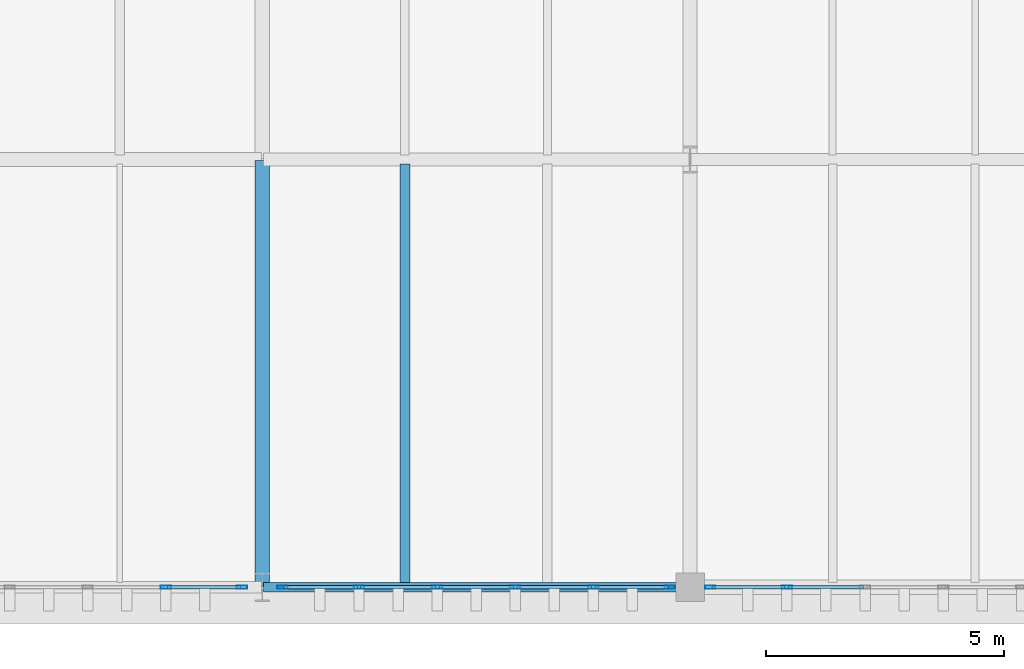
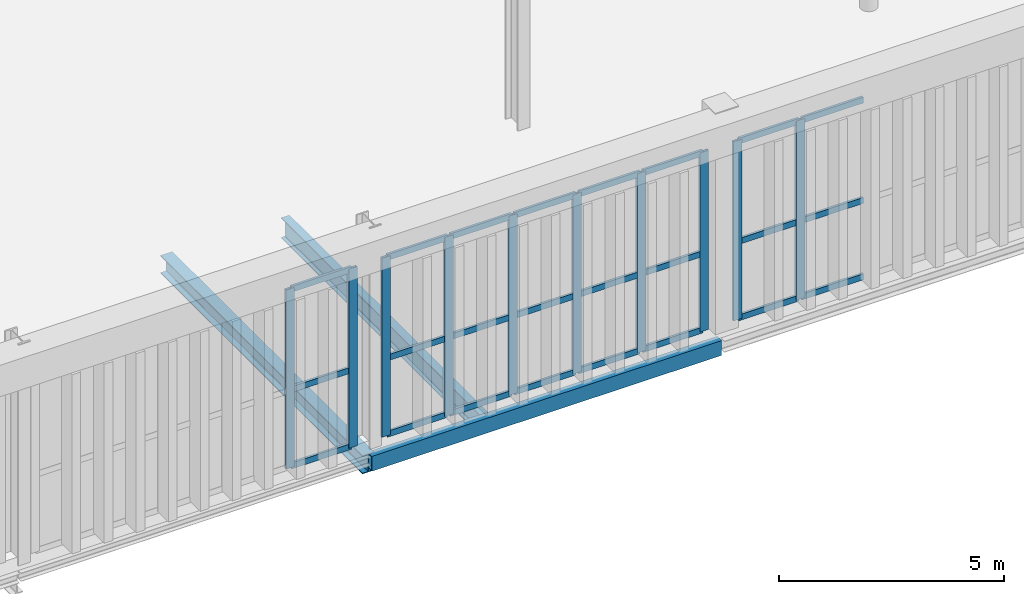
# One storey, part 116 of 237: 34 members, 3 beams, 3 elements without a shape of their own.
"""IFC4 building model written with IfcOpenShell, lengths in metres."""

from ifc_helpers import new_model, si_unit, direction, frame, origin, origin_2d, place, context, subcontext, project, spatial, hollow_rectangle, i_section, extrude, material, layer, layer_set, material_profile, profile_set, type_object, element, aggregate, save


model = new_model("IFC4")

# Units and contexts
model_context = context("Model", 3, precision=1e-05, world=origin(), true_north=direction((0.0, 1.0)))
body_context = subcontext(model_context, "Body", "Model", "MODEL_VIEW")
ifc_project = project(units=[si_unit("LENGTHUNIT", "METRE"), si_unit("AREAUNIT", "SQUARE_METRE"), si_unit("VOLUMEUNIT", "CUBIC_METRE"), si_unit("PLANEANGLEUNIT", "RADIAN"), si_unit("MASSUNIT", "GRAM", prefix="KILO")], contexts=[model_context])

# Site, building, storey
site_placement = place(None, origin())
site = spatial("IfcSite", under=ifc_project, at=site_placement, CompositionType="ELEMENT")
building_placement = place(site_placement, origin())
building = spatial("IfcBuilding", under=site, at=building_placement, Name="Barlavento Convention Centre", CompositionType="ELEMENT")
storey_placement = place(building_placement, frame((0.0, 0.0, 12.0)))
storey = spatial("IfcBuildingStorey", under=building, at=storey_placement, Name="L02", CompositionType="ELEMENT", Elevation=12.0)

# Curtain wall, members
ifc_material_1 = material(Name="Powder-coated aluminium and Low-E glass", Category="aluminium")
ifc_layer = layer(ifc_material_1, 0.195068359375)
ifc_layer_set = layer_set([ifc_layer], Name="ARC-CW-BALL-L02")
curtain_wall_type = type_object("IfcCurtainWallType", Name="ARC-CW-BALL-L02", PredefinedType="NOTDEFINED", material=ifc_layer_set)
curtain_wall_1_placement = place(storey_placement, origin())
curtain_wall_1 = element("IfcCurtainWall", 1, at=curtain_wall_1_placement, inside=storey, type_object=curtain_wall_type, Name="L02 unitised curtain wall CW07", PredefinedType="NOTDEFINED")
ifc_material_2 = material(Name="Powder-coated aluminium", Category="aluminium")
ifc_material_profile_1 = material_profile(ifc_material_2, hollow_rectangle(XDim=0.070068359375, YDim=0.219970703125, WallThickness=0.006103515625, at=origin_2d()), Name="AL-MULL 70x220x6")
ifc_profile_set_1 = profile_set([ifc_material_profile_1], Name="Powder-coated aluminium")
member_type_1 = type_object("IfcMemberType", Name="ARC-CWM-70X220", PredefinedType="MULLION", material=ifc_profile_set_1)
member_1_placement = place(storey_placement, frame((159.968017578125, 0.0, 0.0), z_axis=(0.0, 0.0, 1.0), x_axis=(0.0, 1.0, 0.0)))
member_1 = element("IfcMember", 2, at=member_1_placement, type_object=member_type_1, Name="CW07 mullion 5", PredefinedType="MULLION", context=body_context, shape_type="SweptSolid", body=[
    extrude(hollow_rectangle(XDim=0.070068359375, YDim=0.219970703125, WallThickness=0.006103515625, at=origin_2d()), origin(), (0.0, 0.0, 1.0), 4.85009765625),
])
member_2_placement = place(storey_placement, frame((161.574951171875, 0.0, 0.0), z_axis=(0.0, 0.0, 1.0), x_axis=(0.0, 1.0, 0.0)))
member_2 = element("IfcMember", 3, at=member_2_placement, type_object=member_type_1, Name="CW07 mullion 6", PredefinedType="MULLION", context=body_context, shape_type="SweptSolid", body=[
    extrude(hollow_rectangle(XDim=0.070068359375, YDim=0.219970703125, WallThickness=0.006103515625, at=origin_2d()), origin(), (0.0, 0.0, 1.0), 4.85009765625),
])

curtain_wall_2_placement = place(storey_placement, origin())
curtain_wall_2 = element("IfcCurtainWall", 4, at=curtain_wall_2_placement, inside=storey, type_object=curtain_wall_type, Name="L02 unitised curtain wall CW07", PredefinedType="NOTDEFINED")
member_3_placement = place(storey_placement, frame((162.425048828125, 0.0, 0.0), z_axis=(0.0, 0.0, 1.0), x_axis=(0.0, 1.0, 0.0)))
member_3 = element("IfcMember", 5, at=member_3_placement, type_object=member_type_1, Name="CW07 mullion 1", PredefinedType="MULLION", context=body_context, shape_type="SweptSolid", body=[
    extrude(hollow_rectangle(XDim=0.070068359375, YDim=0.219970703125, WallThickness=0.006103515625, at=origin_2d()), origin(), (0.0, 0.0, 1.0), 4.85009765625),
])
member_4_placement = place(storey_placement, frame((164.033935546875, 0.0, 0.0), z_axis=(0.0, 0.0, 1.0), x_axis=(0.0, 1.0, 0.0)))
member_4 = element("IfcMember", 6, at=member_4_placement, type_object=member_type_1, Name="CW07 mullion 2", PredefinedType="MULLION", context=body_context, shape_type="SweptSolid", body=[
    extrude(hollow_rectangle(XDim=0.070068359375, YDim=0.219970703125, WallThickness=0.006103515625, at=origin_2d()), origin(), (0.0, 0.0, 1.0), 4.85009765625),
])
member_5_placement = place(storey_placement, frame((165.677978515625, 0.0, 0.0), z_axis=(0.0, 0.0, 1.0), x_axis=(0.0, 1.0, 0.0)))
member_5 = element("IfcMember", 7, at=member_5_placement, type_object=member_type_1, Name="CW07 mullion 3", PredefinedType="MULLION", context=body_context, shape_type="SweptSolid", body=[
    extrude(hollow_rectangle(XDim=0.070068359375, YDim=0.219970703125, WallThickness=0.006103515625, at=origin_2d()), origin(), (0.0, 0.0, 1.0), 4.85009765625),
])
member_6_placement = place(storey_placement, frame((167.322021484375, 0.0, 0.0), z_axis=(0.0, 0.0, 1.0), x_axis=(0.0, 1.0, 0.0)))
member_6 = element("IfcMember", 8, at=member_6_placement, type_object=member_type_1, Name="CW07 mullion 4", PredefinedType="MULLION", context=body_context, shape_type="SweptSolid", body=[
    extrude(hollow_rectangle(XDim=0.070068359375, YDim=0.219970703125, WallThickness=0.006103515625, at=origin_2d()), origin(), (0.0, 0.0, 1.0), 4.85009765625),
])
member_7_placement = place(storey_placement, frame((168.966064453125, 0.0, 0.0), z_axis=(0.0, 0.0, 1.0), x_axis=(0.0, 1.0, 0.0)))
member_7 = element("IfcMember", 9, at=member_7_placement, type_object=member_type_1, Name="CW07 mullion 5", PredefinedType="MULLION", context=body_context, shape_type="SweptSolid", body=[
    extrude(hollow_rectangle(XDim=0.070068359375, YDim=0.219970703125, WallThickness=0.006103515625, at=origin_2d()), origin(), (0.0, 0.0, 1.0), 4.85009765625),
])
member_8_placement = place(storey_placement, frame((170.574951171875, 0.0, 0.0), z_axis=(0.0, 0.0, 1.0), x_axis=(0.0, 1.0, 0.0)))
member_8 = element("IfcMember", 10, at=member_8_placement, type_object=member_type_1, Name="CW07 mullion 6", PredefinedType="MULLION", context=body_context, shape_type="SweptSolid", body=[
    extrude(hollow_rectangle(XDim=0.070068359375, YDim=0.219970703125, WallThickness=0.006103515625, at=origin_2d()), origin(), (0.0, 0.0, 1.0), 4.85009765625),
])

curtain_wall_3_placement = place(storey_placement, origin())
curtain_wall_3 = element("IfcCurtainWall", 11, at=curtain_wall_3_placement, inside=storey, type_object=curtain_wall_type, Name="L02 unitised curtain wall CW07", PredefinedType="NOTDEFINED")
member_9_placement = place(storey_placement, frame((171.425048828125, 0.0, 0.0), z_axis=(0.0, 0.0, 1.0), x_axis=(0.0, 1.0, 0.0)))
member_9 = element("IfcMember", 12, at=member_9_placement, type_object=member_type_1, Name="CW07 mullion 1", PredefinedType="MULLION", context=body_context, shape_type="SweptSolid", body=[
    extrude(hollow_rectangle(XDim=0.070068359375, YDim=0.219970703125, WallThickness=0.006103515625, at=origin_2d()), origin(), (0.0, 0.0, 1.0), 4.85009765625),
])
member_10_placement = place(storey_placement, frame((173.036865234375, 0.0, 0.0), z_axis=(0.0, 0.0, 1.0), x_axis=(0.0, 1.0, 0.0)))
member_10 = element("IfcMember", 13, at=member_10_placement, type_object=member_type_1, Name="CW07 mullion 2", PredefinedType="MULLION", context=body_context, shape_type="SweptSolid", body=[
    extrude(hollow_rectangle(XDim=0.070068359375, YDim=0.219970703125, WallThickness=0.006103515625, at=origin_2d()), origin(), (0.0, 0.0, 1.0), 4.85009765625),
])

# Member
ifc_material_profile_2 = material_profile(ifc_material_2, hollow_rectangle(XDim=0.06494140625, YDim=0.159912109375, WallThickness=0.0048828125, at=origin_2d()), Name="AL-TRAN 65x160x5")
ifc_profile_set_2 = profile_set([ifc_material_profile_2], Name="Powder-coated aluminium")
member_type_2 = type_object("IfcMemberType", Name="ARC-CWT-65X160", PredefinedType="USERDEFINED", material=ifc_profile_set_2)
member_11_placement = place(storey_placement, frame((160.0029296875, 0.0, 0.032470703125), z_axis=(1.0, 0.0, 0.0), x_axis=(0.0, 1.0, 0.0)))
member_11 = element("IfcMember", 14, at=member_11_placement, type_object=member_type_2, Name="CW07 transom 5.1", ObjectType="TRANSOM", PredefinedType="USERDEFINED", context=body_context, shape_type="SweptSolid", body=[
    extrude(hollow_rectangle(XDim=0.06494140625, YDim=0.159912109375, WallThickness=0.0048828125, at=origin_2d()), origin(), (0.0, 0.0, 1.0), 1.537109375),
])

member_12_placement = place(storey_placement, frame((160.0029296875, 0.0, 2.10009765625), z_axis=(1.0, 0.0, 0.0), x_axis=(0.0, 1.0, 0.0)))
member_12 = element("IfcMember", 15, at=member_12_placement, type_object=member_type_2, Name="CW07 transom 5.2", ObjectType="TRANSOM", PredefinedType="USERDEFINED", context=body_context, shape_type="SweptSolid", body=[
    extrude(hollow_rectangle(XDim=0.06494140625, YDim=0.159912109375, WallThickness=0.0048828125, at=origin_2d()), origin(), (0.0, 0.0, 1.0), 1.537109375),
])

member_13_placement = place(storey_placement, frame((160.0029296875, 0.0, 4.8173828125), z_axis=(1.0, 0.0, 0.0), x_axis=(0.0, 1.0, 0.0)))
member_13 = element("IfcMember", 16, at=member_13_placement, type_object=member_type_2, Name="CW07 transom 5.3", ObjectType="TRANSOM", PredefinedType="USERDEFINED", context=body_context, shape_type="SweptSolid", body=[
    extrude(hollow_rectangle(XDim=0.06494140625, YDim=0.159912109375, WallThickness=0.0048828125, at=origin_2d()), origin(), (0.0, 0.0, 1.0), 1.537109375),
])

aggregate(curtain_wall_1, [member_1, member_2, member_11, member_12, member_13])

member_14_placement = place(storey_placement, frame((162.4599609375, 0.0, 0.032470703125), z_axis=(1.0, 0.0, 0.0), x_axis=(0.0, 1.0, 0.0)))
member_14 = element("IfcMember", 17, at=member_14_placement, type_object=member_type_2, Name="CW07 transom 1.1", ObjectType="TRANSOM", PredefinedType="USERDEFINED", context=body_context, shape_type="SweptSolid", body=[
    extrude(hollow_rectangle(XDim=0.06494140625, YDim=0.159912109375, WallThickness=0.0048828125, at=origin_2d()), origin(), (0.0, 0.0, 1.0), 1.5390625),
])

member_15_placement = place(storey_placement, frame((162.4599609375, 0.0, 2.10009765625), z_axis=(1.0, 0.0, 0.0), x_axis=(0.0, 1.0, 0.0)))
member_15 = element("IfcMember", 18, at=member_15_placement, type_object=member_type_2, Name="CW07 transom 1.2", ObjectType="TRANSOM", PredefinedType="USERDEFINED", context=body_context, shape_type="SweptSolid", body=[
    extrude(hollow_rectangle(XDim=0.06494140625, YDim=0.159912109375, WallThickness=0.0048828125, at=origin_2d()), origin(), (0.0, 0.0, 1.0), 1.5390625),
])

member_16_placement = place(storey_placement, frame((162.4599609375, 0.0, 4.8173828125), z_axis=(1.0, 0.0, 0.0), x_axis=(0.0, 1.0, 0.0)))
member_16 = element("IfcMember", 19, at=member_16_placement, type_object=member_type_2, Name="CW07 transom 1.3", ObjectType="TRANSOM", PredefinedType="USERDEFINED", context=body_context, shape_type="SweptSolid", body=[
    extrude(hollow_rectangle(XDim=0.06494140625, YDim=0.159912109375, WallThickness=0.0048828125, at=origin_2d()), origin(), (0.0, 0.0, 1.0), 1.5390625),
])

member_17_placement = place(storey_placement, frame((164.069091796875, 0.0, 0.032470703125), z_axis=(1.0, 0.0, 0.0), x_axis=(0.0, 1.0, 0.0)))
member_17 = element("IfcMember", 20, at=member_17_placement, type_object=member_type_2, Name="CW07 transom 2.1", ObjectType="TRANSOM", PredefinedType="USERDEFINED", context=body_context, shape_type="SweptSolid", body=[
    extrude(hollow_rectangle(XDim=0.06494140625, YDim=0.159912109375, WallThickness=0.0048828125, at=origin_2d()), origin(), (0.0, 0.0, 1.0), 1.573974609375),
])

member_18_placement = place(storey_placement, frame((164.069091796875, 0.0, 2.10009765625), z_axis=(1.0, 0.0, 0.0), x_axis=(0.0, 1.0, 0.0)))
member_18 = element("IfcMember", 21, at=member_18_placement, type_object=member_type_2, Name="CW07 transom 2.2", ObjectType="TRANSOM", PredefinedType="USERDEFINED", context=body_context, shape_type="SweptSolid", body=[
    extrude(hollow_rectangle(XDim=0.06494140625, YDim=0.159912109375, WallThickness=0.0048828125, at=origin_2d()), origin(), (0.0, 0.0, 1.0), 1.573974609375),
])

member_19_placement = place(storey_placement, frame((164.069091796875, 0.0, 4.8173828125), z_axis=(1.0, 0.0, 0.0), x_axis=(0.0, 1.0, 0.0)))
member_19 = element("IfcMember", 22, at=member_19_placement, type_object=member_type_2, Name="CW07 transom 2.3", ObjectType="TRANSOM", PredefinedType="USERDEFINED", context=body_context, shape_type="SweptSolid", body=[
    extrude(hollow_rectangle(XDim=0.06494140625, YDim=0.159912109375, WallThickness=0.0048828125, at=origin_2d()), origin(), (0.0, 0.0, 1.0), 1.573974609375),
])

member_20_placement = place(storey_placement, frame((165.712890625, 0.0, 0.032470703125), z_axis=(1.0, 0.0, 0.0), x_axis=(0.0, 1.0, 0.0)))
member_20 = element("IfcMember", 23, at=member_20_placement, type_object=member_type_2, Name="CW07 transom 3.1", ObjectType="TRANSOM", PredefinedType="USERDEFINED", context=body_context, shape_type="SweptSolid", body=[
    extrude(hollow_rectangle(XDim=0.06494140625, YDim=0.159912109375, WallThickness=0.0048828125, at=origin_2d()), origin(), (0.0, 0.0, 1.0), 1.57421875),
])

member_21_placement = place(storey_placement, frame((165.712890625, 0.0, 2.10009765625), z_axis=(1.0, 0.0, 0.0), x_axis=(0.0, 1.0, 0.0)))
member_21 = element("IfcMember", 24, at=member_21_placement, type_object=member_type_2, Name="CW07 transom 3.2", ObjectType="TRANSOM", PredefinedType="USERDEFINED", context=body_context, shape_type="SweptSolid", body=[
    extrude(hollow_rectangle(XDim=0.06494140625, YDim=0.159912109375, WallThickness=0.0048828125, at=origin_2d()), origin(), (0.0, 0.0, 1.0), 1.57421875),
])

member_22_placement = place(storey_placement, frame((165.712890625, 0.0, 4.8173828125), z_axis=(1.0, 0.0, 0.0), x_axis=(0.0, 1.0, 0.0)))
member_22 = element("IfcMember", 25, at=member_22_placement, type_object=member_type_2, Name="CW07 transom 3.3", ObjectType="TRANSOM", PredefinedType="USERDEFINED", context=body_context, shape_type="SweptSolid", body=[
    extrude(hollow_rectangle(XDim=0.06494140625, YDim=0.159912109375, WallThickness=0.0048828125, at=origin_2d()), origin(), (0.0, 0.0, 1.0), 1.57421875),
])

member_23_placement = place(storey_placement, frame((167.35693359375, 0.0, 0.032470703125), z_axis=(1.0, 0.0, 0.0), x_axis=(0.0, 1.0, 0.0)))
member_23 = element("IfcMember", 26, at=member_23_placement, type_object=member_type_2, Name="CW07 transom 4.1", ObjectType="TRANSOM", PredefinedType="USERDEFINED", context=body_context, shape_type="SweptSolid", body=[
    extrude(hollow_rectangle(XDim=0.06494140625, YDim=0.159912109375, WallThickness=0.0048828125, at=origin_2d()), origin(), (0.0, 0.0, 1.0), 1.573974609375),
])

member_24_placement = place(storey_placement, frame((167.35693359375, 0.0, 2.10009765625), z_axis=(1.0, 0.0, 0.0), x_axis=(0.0, 1.0, 0.0)))
member_24 = element("IfcMember", 27, at=member_24_placement, type_object=member_type_2, Name="CW07 transom 4.2", ObjectType="TRANSOM", PredefinedType="USERDEFINED", context=body_context, shape_type="SweptSolid", body=[
    extrude(hollow_rectangle(XDim=0.06494140625, YDim=0.159912109375, WallThickness=0.0048828125, at=origin_2d()), origin(), (0.0, 0.0, 1.0), 1.573974609375),
])

member_25_placement = place(storey_placement, frame((167.35693359375, 0.0, 4.8173828125), z_axis=(1.0, 0.0, 0.0), x_axis=(0.0, 1.0, 0.0)))
member_25 = element("IfcMember", 28, at=member_25_placement, type_object=member_type_2, Name="CW07 transom 4.3", ObjectType="TRANSOM", PredefinedType="USERDEFINED", context=body_context, shape_type="SweptSolid", body=[
    extrude(hollow_rectangle(XDim=0.06494140625, YDim=0.159912109375, WallThickness=0.0048828125, at=origin_2d()), origin(), (0.0, 0.0, 1.0), 1.573974609375),
])

member_26_placement = place(storey_placement, frame((169.0009765625, 0.0, 0.032470703125), z_axis=(1.0, 0.0, 0.0), x_axis=(0.0, 1.0, 0.0)))
member_26 = element("IfcMember", 29, at=member_26_placement, type_object=member_type_2, Name="CW07 transom 5.1", ObjectType="TRANSOM", PredefinedType="USERDEFINED", context=body_context, shape_type="SweptSolid", body=[
    extrude(hollow_rectangle(XDim=0.06494140625, YDim=0.159912109375, WallThickness=0.0048828125, at=origin_2d()), origin(), (0.0, 0.0, 1.0), 1.5390625),
])

member_27_placement = place(storey_placement, frame((169.0009765625, 0.0, 2.10009765625), z_axis=(1.0, 0.0, 0.0), x_axis=(0.0, 1.0, 0.0)))
member_27 = element("IfcMember", 30, at=member_27_placement, type_object=member_type_2, Name="CW07 transom 5.2", ObjectType="TRANSOM", PredefinedType="USERDEFINED", context=body_context, shape_type="SweptSolid", body=[
    extrude(hollow_rectangle(XDim=0.06494140625, YDim=0.159912109375, WallThickness=0.0048828125, at=origin_2d()), origin(), (0.0, 0.0, 1.0), 1.5390625),
])

member_28_placement = place(storey_placement, frame((169.0009765625, 0.0, 4.8173828125), z_axis=(1.0, 0.0, 0.0), x_axis=(0.0, 1.0, 0.0)))
member_28 = element("IfcMember", 31, at=member_28_placement, type_object=member_type_2, Name="CW07 transom 5.3", ObjectType="TRANSOM", PredefinedType="USERDEFINED", context=body_context, shape_type="SweptSolid", body=[
    extrude(hollow_rectangle(XDim=0.06494140625, YDim=0.159912109375, WallThickness=0.0048828125, at=origin_2d()), origin(), (0.0, 0.0, 1.0), 1.5390625),
])

aggregate(curtain_wall_2, [member_3, member_4, member_5, member_6, member_7, member_8, member_14, member_15, member_16, member_17, member_18, member_19, member_20, member_21, member_22, member_23, member_24, member_25, member_26, member_27, member_28])

member_29_placement = place(storey_placement, frame((171.4599609375, 0.0, 0.032470703125), z_axis=(1.0, 0.0, 0.0), x_axis=(0.0, 1.0, 0.0)))
member_29 = element("IfcMember", 32, at=member_29_placement, type_object=member_type_2, Name="CW07 transom 1.1", ObjectType="TRANSOM", PredefinedType="USERDEFINED", context=body_context, shape_type="SweptSolid", body=[
    extrude(hollow_rectangle(XDim=0.06494140625, YDim=0.159912109375, WallThickness=0.0048828125, at=origin_2d()), origin(), (0.0, 0.0, 1.0), 1.541748046875),
])

member_30_placement = place(storey_placement, frame((171.4599609375, 0.0, 2.10009765625), z_axis=(1.0, 0.0, 0.0), x_axis=(0.0, 1.0, 0.0)))
member_30 = element("IfcMember", 33, at=member_30_placement, type_object=member_type_2, Name="CW07 transom 1.2", ObjectType="TRANSOM", PredefinedType="USERDEFINED", context=body_context, shape_type="SweptSolid", body=[
    extrude(hollow_rectangle(XDim=0.06494140625, YDim=0.159912109375, WallThickness=0.0048828125, at=origin_2d()), origin(), (0.0, 0.0, 1.0), 1.541748046875),
])

member_31_placement = place(storey_placement, frame((171.4599609375, 0.0, 4.8173828125), z_axis=(1.0, 0.0, 0.0), x_axis=(0.0, 1.0, 0.0)))
member_31 = element("IfcMember", 34, at=member_31_placement, type_object=member_type_2, Name="CW07 transom 1.3", ObjectType="TRANSOM", PredefinedType="USERDEFINED", context=body_context, shape_type="SweptSolid", body=[
    extrude(hollow_rectangle(XDim=0.06494140625, YDim=0.159912109375, WallThickness=0.0048828125, at=origin_2d()), origin(), (0.0, 0.0, 1.0), 1.541748046875),
])

member_32_placement = place(storey_placement, frame((173.07177734375, 0.0, 0.032470703125), z_axis=(1.0, 0.0, 0.0), x_axis=(0.0, 1.0, 0.0)))
member_32 = element("IfcMember", 35, at=member_32_placement, type_object=member_type_2, Name="CW07 transom 2.1", ObjectType="TRANSOM", PredefinedType="USERDEFINED", context=body_context, shape_type="SweptSolid", body=[
    extrude(hollow_rectangle(XDim=0.06494140625, YDim=0.159912109375, WallThickness=0.0048828125, at=origin_2d()), origin(), (0.0, 0.0, 1.0), 1.576904296875),
])

member_33_placement = place(storey_placement, frame((173.07177734375, 0.0, 2.10009765625), z_axis=(1.0, 0.0, 0.0), x_axis=(0.0, 1.0, 0.0)))
member_33 = element("IfcMember", 36, at=member_33_placement, type_object=member_type_2, Name="CW07 transom 2.2", ObjectType="TRANSOM", PredefinedType="USERDEFINED", context=body_context, shape_type="SweptSolid", body=[
    extrude(hollow_rectangle(XDim=0.06494140625, YDim=0.159912109375, WallThickness=0.0048828125, at=origin_2d()), origin(), (0.0, 0.0, 1.0), 1.576904296875),
])

member_34_placement = place(storey_placement, frame((173.07177734375, 0.0, 4.8173828125), z_axis=(1.0, 0.0, 0.0), x_axis=(0.0, 1.0, 0.0)))
member_34 = element("IfcMember", 37, at=member_34_placement, type_object=member_type_2, Name="CW07 transom 2.3", ObjectType="TRANSOM", PredefinedType="USERDEFINED", context=body_context, shape_type="SweptSolid", body=[
    extrude(hollow_rectangle(XDim=0.06494140625, YDim=0.159912109375, WallThickness=0.0048828125, at=origin_2d()), origin(), (0.0, 0.0, 1.0), 1.576904296875),
])

aggregate(curtain_wall_3, [member_9, member_10, member_29, member_30, member_31, member_32, member_33, member_34])

# Beams
ifc_material_3 = material(Name="Steel S355", Category="steel")
ifc_material_profile_3 = material_profile(ifc_material_3, i_section(OverallWidth=0.2099609375, OverallDepth=0.550048828125, WebThickness=0.010986328125, FlangeThickness=0.01708984375, FilletRadius=0.02392578125, at=origin_2d()), Name="IPE 550")
ifc_profile_set_3 = profile_set([ifc_material_profile_3], Name="Steel S355")
beam_type_1 = type_object("IfcBeamType", Name="STR-BM-JST-IPE550", PredefinedType="JOIST", material=ifc_profile_set_3)
beam_1_placement = place(storey_placement, frame((165.0, 0.094970703125, -0.64501953125), z_axis=(0.0, 1.0, 0.0), x_axis=(-1.0, 0.0, 0.0)))
element("IfcBeam", 38, at=beam_1_placement, inside=storey, type_object=beam_type_1, Name="L02 composite floor joist SJ01", PredefinedType="JOIST", context=body_context, shape_type="SweptSolid", body=[
    extrude(i_section(OverallWidth=0.2099609375, OverallDepth=0.550048828125, WebThickness=0.010986328125, FlangeThickness=0.01708984375, FilletRadius=0.02392578125, at=origin_2d()), origin(), (0.0, 0.0, 1.0), 8.81005859375),
])
ifc_material_profile_4 = material_profile(ifc_material_3, i_section(OverallWidth=0.300048828125, OverallDepth=0.489990234375, WebThickness=0.011962890625, FlangeThickness=0.02294921875, FilletRadius=0.027099609375, at=origin_2d()), Name="HEA 500")
ifc_profile_set_4 = profile_set([ifc_material_profile_4], Name="Steel S355")
beam_type_2 = type_object("IfcBeamType", Name="STR-BM-PRI-HEA500", PredefinedType="BEAM", material=ifc_profile_set_4)
beam_2_placement = place(storey_placement, frame((162.0, 0.02001953125, -0.614990234375), z_axis=(0.0, 1.0, 0.0), x_axis=(-1.0, 0.0, 0.0)))
element("IfcBeam", 39, at=beam_2_placement, inside=storey, type_object=beam_type_2, Name="L02 grid girder BG20", PredefinedType="BEAM", context=body_context, shape_type="SweptSolid", body=[
    extrude(i_section(OverallWidth=0.300048828125, OverallDepth=0.489990234375, WebThickness=0.011962890625, FlangeThickness=0.02294921875, FilletRadius=0.027099609375, at=origin_2d()), origin(), (0.0, 0.0, 1.0), 8.9599609375),
])
ifc_material_profile_5 = material_profile(ifc_material_3, hollow_rectangle(XDim=0.199951171875, YDim=0.39990234375, WallThickness=0.01611328125, at=origin_2d()), Name="RHS 400x200x16.0")
ifc_profile_set_5 = profile_set([ifc_material_profile_5], Name="Steel S355")
beam_type_3 = type_object("IfcBeamType", Name="STR-BM-SPN-RHS400", PredefinedType="SPANDREL", material=ifc_profile_set_5)
beam_3_placement = place(storey_placement, frame((162.02001953125, 0.0, -0.570068359375), z_axis=(1.0, 0.0, 0.0), x_axis=(0.0, 1.0, 0.0)))
element("IfcBeam", 40, at=beam_3_placement, inside=storey, type_object=beam_type_3, Name="L02 primary girder SP06", PredefinedType="SPANDREL", context=body_context, shape_type="SweptSolid", body=[
    extrude(hollow_rectangle(XDim=0.199951171875, YDim=0.39990234375, WallThickness=0.01611328125, at=origin_2d()), origin(), (0.0, 0.0, 1.0), 8.9599609375),
])

save(model, "model.ifc")
